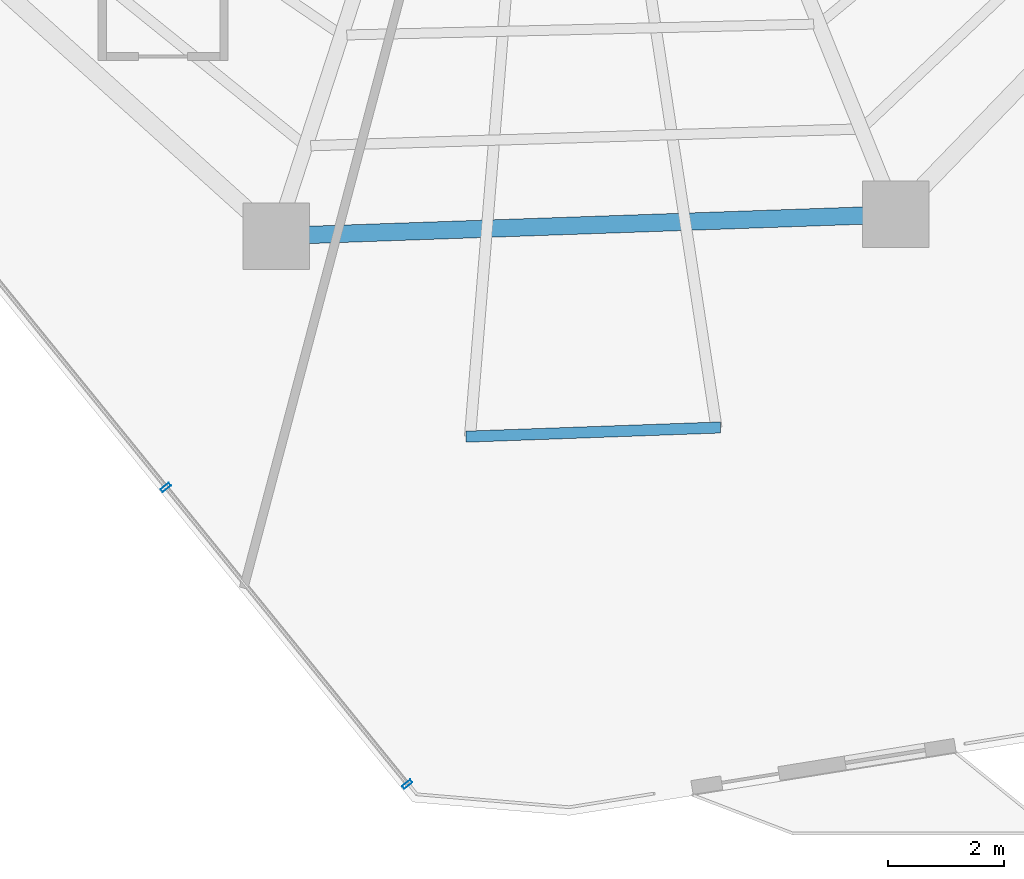
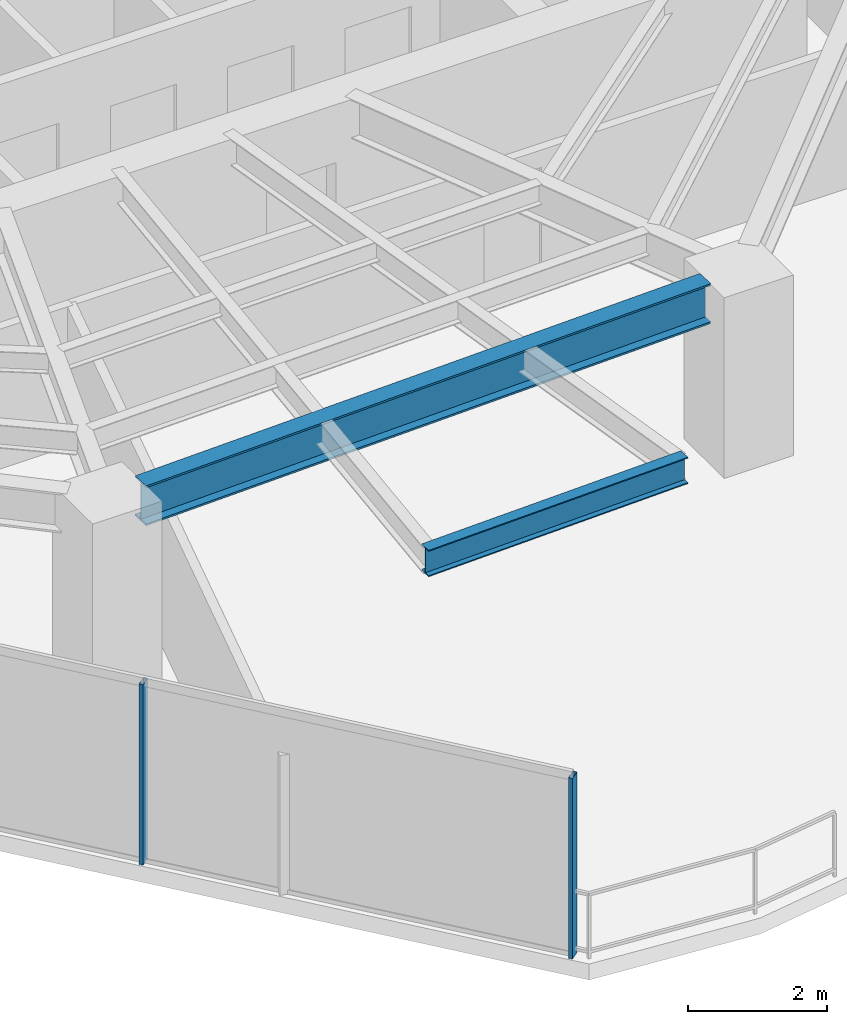
# One storey, part 5 of 27: 2 beams, 2 members, 1 element without a shape of its own.
"""IFC4 building model written with IfcOpenShell, lengths in metres."""

import ifcopenshell
import ifcopenshell.guid

model = None  # the IFC model being written
_history = None  # IfcOwnerHistory: only IFC2X3 demands one
_inside = {}  # id of a spatial element -> (the spatial element, [elements in it])
_under = {}  # id of a project, library or spatial element -> (it, [spatial elements below it])
_declared = {}  # id of a project -> (the project, [libraries it declares])
_typed = {}  # id of a type object -> (the type object, [elements of that type])
_made_of = {}  # id of a material, layer set ... -> (it, [elements and type objects made of it])


def new_model(schema):
    """Start an empty IFC model of exactly this schema.

    Asked for "IFC4X3", IfcOpenShell would pick the latest addendum, in which some entities
    have other attributes; the version numbers below select the first issue.
    IFC2X3 requires an IfcOwnerHistory on every rooted entity: one is made here for all.
    """
    global model, _history
    if schema == "IFC4X3":
        model = ifcopenshell.file(schema_version=(4, 3, 0, 0))
    else:
        model = ifcopenshell.file(schema=schema)
    _inside.clear()
    _under.clear()
    _declared.clear()
    _typed.clear()
    _made_of.clear()
    _history = None
    if model.schema == "IFC2X3":
        org = make("IfcOrganization", Name="unknown")
        user = make(
            "IfcPersonAndOrganization",
            ThePerson=make("IfcPerson", FamilyName="unknown"),
            TheOrganization=org,
        )
        app = make(
            "IfcApplication",
            ApplicationDeveloper=org,
            Version="unknown",
            ApplicationFullName="unknown",
            ApplicationIdentifier="unknown",
        )
        _history = make(
            "IfcOwnerHistory",
            OwningUser=user,
            OwningApplication=app,
            ChangeAction="ADDED",
            CreationDate=0,
        )
    return model


def make(cls, **values):
    """One entity of the class cls with the attributes given. An attribute that is None is left unset."""
    return model.create_entity(
        cls, **{name: value for name, value in values.items() if value is not None}
    )


def rooted(cls, **values):
    """An entity with a GlobalId (a new one), such as an element, a storey or a relation."""
    return make(cls, GlobalId=ifcopenshell.guid.new(), OwnerHistory=_history, **values)


def si_unit(unit_type, name, prefix=None):
    """IfcSIUnit, for example si_unit("LENGTHUNIT", "METRE", prefix="MILLI")."""
    return make("IfcSIUnit", UnitType=unit_type, Prefix=prefix, Name=name)


def assignment(units):
    """IfcUnitAssignment: the units of a project."""
    return None if units is None else make("IfcUnitAssignment", Units=units)


def point(xyz):
    """IfcCartesianPoint."""
    return None if xyz is None else make("IfcCartesianPoint", Coordinates=xyz)


def direction(xyz):
    """IfcDirection."""
    return None if xyz is None else make("IfcDirection", DirectionRatios=xyz)


def frame(location, z_axis=None, x_axis=None):
    """IfcAxis2Placement3D, a coordinate frame: its origin and axes. An axis left out is left unset."""
    return make(
        "IfcAxis2Placement3D",
        Location=point(location),
        Axis=direction(z_axis),
        RefDirection=direction(x_axis),
    )


def frame_2d(location, x_axis=None):
    """IfcAxis2Placement2D, a coordinate frame in the plane: its origin and x axis."""
    return make(
        "IfcAxis2Placement2D", Location=point(location), RefDirection=direction(x_axis)
    )


def origin():
    """The frame at (0, 0, 0) with its axes left unset."""
    return frame((0.0, 0.0, 0.0))


def origin_2d():
    """The frame at (0, 0) in the plane with its x axis left unset."""
    return frame_2d((0.0, 0.0))


def place(relative_to, where):
    """IfcLocalPlacement: puts the frame where relative to a parent placement (None: the world)."""
    return make(
        "IfcLocalPlacement", PlacementRelTo=relative_to, RelativePlacement=where
    )


def context(
    kind, dimensions, precision=None, world=None, true_north=None, identifier=None
):
    """IfcGeometricRepresentationContext, for example the 3D "Model" context."""
    return make(
        "IfcGeometricRepresentationContext",
        ContextIdentifier=identifier,
        ContextType=kind,
        CoordinateSpaceDimension=dimensions,
        Precision=precision,
        WorldCoordinateSystem=world,
        TrueNorth=true_north,
    )


def subcontext(parent, identifier, kind, view, scale=None):
    """IfcGeometricRepresentationSubContext, for example "Body" below "Model"."""
    return make(
        "IfcGeometricRepresentationSubContext",
        ContextIdentifier=identifier,
        ContextType=kind,
        ParentContext=parent,
        TargetScale=scale,
        TargetView=view,
    )


def project(units=None, contexts=None):
    """IfcProject with its units and contexts."""
    return rooted(
        "IfcProject",
        Name="project",
        RepresentationContexts=contexts,
        UnitsInContext=assignment(units),
    )


def spatial(cls, under=None, at=None, **own):
    """A site, building, storey or space (cls), placed at a placement, below another one or the project."""
    s = rooted(cls, ObjectPlacement=at, **own)
    if under is not None:
        _under.setdefault(under.id(), (under, []))[1].append(s)
    return s


def profile(cls, at=None, kind="AREA", **sizes):
    """A parametric profile (cls). Its sizes go by their IFC names, for example OverallWidth=200.0."""
    return make(cls, ProfileType=kind, Position=at, **sizes)


def hollow_rectangle(**sizes):
    """IfcRectangleHollowProfileDef."""
    return profile("IfcRectangleHollowProfileDef", **sizes)


def i_section(**sizes):
    """IfcIShapeProfileDef."""
    return profile("IfcIShapeProfileDef", **sizes)


def extrude(swept, where, along, depth):
    """IfcExtrudedAreaSolid: the profile swept, set in the frame where, extruded along a direction by depth."""
    return make(
        "IfcExtrudedAreaSolid",
        SweptArea=swept,
        Position=where,
        ExtrudedDirection=direction(along),
        Depth=depth,
    )


def shape(context_of_items, identifier, shape_type, items):
    """IfcShapeRepresentation: the items that make up one representation, for example the "Body"."""
    return make(
        "IfcShapeRepresentation",
        ContextOfItems=context_of_items,
        RepresentationIdentifier=identifier,
        RepresentationType=shape_type,
        Items=items,
    )


def material(Name=None, Category=None):
    """IfcMaterial."""
    return make("IfcMaterial", Name=Name, Category=Category)


def layer(
    of_material, thickness, ventilated=None, Name=None, Category=None, Priority=None
):
    """IfcMaterialLayer: one layer of a wall or slab, of a material (None: an air gap)."""
    return make(
        "IfcMaterialLayer",
        Material=of_material,
        LayerThickness=thickness,
        IsVentilated=ventilated,
        Name=Name,
        Category=Category,
        Priority=Priority,
    )


def layer_set(layers, Name=None):
    """IfcMaterialLayerSet."""
    return make("IfcMaterialLayerSet", MaterialLayers=layers, LayerSetName=Name)


def material_profile(
    of_material, cross_section, Name=None, Category=None, Priority=None
):
    """IfcMaterialProfile: a cross section and its material."""
    return make(
        "IfcMaterialProfile",
        Name=Name,
        Material=of_material,
        Profile=cross_section,
        Priority=Priority,
        Category=Category,
    )


def profile_set(profiles, Name=None, composite=None):
    """IfcMaterialProfileSet."""
    return make(
        "IfcMaterialProfileSet",
        Name=Name,
        MaterialProfiles=profiles,
        CompositeProfile=composite,
    )


def made_of(thing, what):
    """Note that an element or type object is made of a material, layer set ...; save() writes the relation."""
    if what is not None:
        _made_of.setdefault(what.id(), (what, []))[1].append(thing)
    return thing


def type_object(cls, material=None, **own):
    """A type object (cls), such as IfcWallType, which elements share."""
    return made_of(rooted(cls, **own), material)


def element(
    cls,
    number,
    at=None,
    inside=None,
    cuts=None,
    type_object=None,
    material=None,
    context=None,
    identifier="Body",
    shape_type=None,
    held_by="IfcProductDefinitionShape",
    body=None,
    shapes=None,
    **own,
):
    """One element of the class cls, such as IfcWall. Its Tag is "e" and its number.

    at: its placement. inside: the storey or other place that contains it. cuts: it is an
    opening in that element (IfcRelVoidsElement). A single representation is given by context,
    identifier, shape_type and body (its items); several are given by shapes. held_by: the class
    of the entity that holds the representations. save() writes the other relations.
    """
    e = rooted(cls, Tag="e%d" % number, ObjectPlacement=at, **own)
    if body is not None:
        shapes = [shape(context, identifier, shape_type, body)]
    if shapes is not None:
        e.Representation = make(held_by, Representations=shapes)
    if inside is not None:
        _inside.setdefault(inside.id(), (inside, []))[1].append(e)
    if cuts is not None:
        rooted(
            "IfcRelVoidsElement", RelatingBuildingElement=cuts, RelatedOpeningElement=e
        )
    if type_object is not None:
        _typed.setdefault(type_object.id(), (type_object, []))[1].append(e)
    return made_of(e, material)


def aggregate(whole, parts):
    """IfcRelAggregates: a whole, such as a stair, and the parts it consists of."""
    return rooted("IfcRelAggregates", RelatingObject=whole, RelatedObjects=parts)


def save(model, path):
    """Write the relations noted so far, then the file.

    IfcRelAggregates (storeys below a building ...), IfcRelContainedInSpatialStructure (elements
    in a storey), IfcRelDefinesByType, IfcRelAssociatesMaterial and IfcRelDeclares: one each for
    every whole, place, type object, material and project.
    """
    for whole, parts in _under.values():
        aggregate(whole, parts)
    for where, things in _inside.values():
        rooted(
            "IfcRelContainedInSpatialStructure",
            RelatedElements=things,
            RelatingStructure=where,
        )
    for kind, things in _typed.values():
        rooted("IfcRelDefinesByType", RelatedObjects=things, RelatingType=kind)
    for what, things in _made_of.values():
        rooted("IfcRelAssociatesMaterial", RelatedObjects=things, RelatingMaterial=what)
    for by, libraries in _declared.values():
        rooted("IfcRelDeclares", RelatingContext=by, RelatedDefinitions=libraries)
    model.write(path)


model = new_model("IFC4")

# Units and contexts
model_context = context("Model", 3, precision=1e-05, world=origin(), true_north=direction((0.0, 1.0)))
body_context = subcontext(model_context, "Body", "Model", "MODEL_VIEW")
ifc_project = project(units=[si_unit("LENGTHUNIT", "METRE"), si_unit("AREAUNIT", "SQUARE_METRE"), si_unit("VOLUMEUNIT", "CUBIC_METRE"), si_unit("PLANEANGLEUNIT", "RADIAN"), si_unit("MASSUNIT", "GRAM", prefix="KILO")], contexts=[model_context])

# Site, building, storey
site_placement = place(None, origin())
site = spatial("IfcSite", under=ifc_project, at=site_placement, CompositionType="ELEMENT")
building_placement = place(site_placement, origin())
building = spatial("IfcBuilding", under=site, at=building_placement, Name="Qarnah Convention Tower", CompositionType="ELEMENT")
storey_placement = place(building_placement, frame((0.0, 0.0, 100.5)))
storey = spatial("IfcBuildingStorey", under=building, at=storey_placement, Name="L26", CompositionType="ELEMENT", Elevation=100.5)

# Beams
ifc_material_1 = material(Name="Structural steel S355JR", Category="steel")
ifc_material_profile_1 = material_profile(ifc_material_1, i_section(OverallWidth=0.19189453125, OverallDepth=0.464111328125, WebThickness=0.010986328125, FlangeThickness=0.01806640625, at=origin_2d()), Name="W460X89")
ifc_profile_set_1 = profile_set([ifc_material_profile_1], Name="Structural steel S355JR")
beam_type_1 = type_object("IfcBeamType", Name="BM-CANT-W460A", PredefinedType="BEAM", material=ifc_profile_set_1)
beam_1_placement = place(storey_placement, frame((40.035888671875, 8.2109375, 2.93798828125), z_axis=(-0.999347061952, -0.036131008404, 0.0), x_axis=(0.036131008404, -0.999347061952, 0.0)))
element("IfcBeam", 1, at=beam_1_placement, inside=storey, type_object=beam_type_1, Name="L26 spandrel BM-L26-CTIE-03", PredefinedType="SPANDREL", context=body_context, shape_type="SweptSolid", body=[
    extrude(i_section(OverallWidth=0.19189453125, OverallDepth=0.464111328125, WebThickness=0.010986328125, FlangeThickness=0.01806640625, at=origin_2d()), origin(), (0.0, 0.0, 1.0), 4.39892578125),
])
ifc_material_profile_2 = material_profile(ifc_material_1, i_section(OverallWidth=0.300048828125, OverallDepth=0.699951171875, WebThickness=0.01708984375, FlangeThickness=0.031982421875, at=origin_2d()), Name="HEB700")
ifc_profile_set_2 = profile_set([ifc_material_profile_2], Name="Structural steel S355JR")
beam_type_2 = type_object("IfcBeamType", Name="BM-RING-HEB700", PredefinedType="BEAM", material=ifc_profile_set_2)
beam_2_placement = place(storey_placement, frame((32.928955078125, 11.535888671875, 2.820068359375), z_axis=(0.999390577592, 0.03490663862, 0.0), x_axis=(-0.03490663862, 0.999390577592, 0.0)))
element("IfcBeam", 2, at=beam_2_placement, inside=storey, type_object=beam_type_2, Name="L26 beam BM-L26-SPN-07", PredefinedType="BEAM", context=body_context, shape_type="SweptSolid", body=[
    extrude(i_section(OverallWidth=0.300048828125, OverallDepth=0.699951171875, WebThickness=0.01708984375, FlangeThickness=0.031982421875, at=origin_2d()), origin(), (0.0, 0.0, 1.0), 9.574951171875),
])

# Curtain wall, members
ifc_material_2 = material(Name="Tempered Low-E dark glass", Category="glass")
ifc_layer = layer(ifc_material_2, 0.169921875)
ifc_layer_set = layer_set([ifc_layer], Name="Tempered Low-E dark glass")
curtain_wall_type = type_object("IfcCurtainWallType", Name="CWS-02", PredefinedType="NOTDEFINED", material=ifc_layer_set)
curtain_wall_placement = place(storey_placement, origin())
curtain_wall = element("IfcCurtainWall", 3, at=curtain_wall_placement, inside=storey, type_object=curtain_wall_type, Name="L26 unitised curtain wall CW-L26-F2", PredefinedType="NOTDEFINED")
ifc_material_3 = material(Name="Black anodised aluminium", Category="aluminium")
ifc_material_profile_3 = material_profile(ifc_material_3, hollow_rectangle(XDim=0.06494140625, YDim=0.179931640625, WallThickness=0.00390625, at=origin_2d()), Name="MUL-65X180")
ifc_profile_set_3 = profile_set([ifc_material_profile_3], Name="Black anodised aluminium")
member_type = type_object("IfcMemberType", Name="MUL-T2", PredefinedType="MULLION", material=ifc_profile_set_3)
member_1_placement = place(storey_placement, frame((34.6259765625, 2.051025390625, 0.0), z_axis=(0.0, 0.0, 1.0), x_axis=(-0.630942367883, 0.775829703227, 0.0)))
member_1 = element("IfcMember", 4, at=member_1_placement, type_object=member_type, Name="CW-L26-F2 mullion 1", PredefinedType="MULLION", context=body_context, shape_type="SweptSolid", body=[
    extrude(hollow_rectangle(XDim=0.06494140625, YDim=0.179931640625, WallThickness=0.00390625, at=origin_2d()), origin(), (0.0, 0.0, 1.0), 3.169921875),
])
member_2_placement = place(storey_placement, frame((30.456787109375, 7.177490234375, 0.0), z_axis=(0.0, 0.0, 1.0), x_axis=(-0.630942367883, 0.775829703227, 0.0)))
member_2 = element("IfcMember", 5, at=member_2_placement, type_object=member_type, Name="CW-L26-F2 mullion 2", PredefinedType="MULLION", context=body_context, shape_type="SweptSolid", body=[
    extrude(hollow_rectangle(XDim=0.06494140625, YDim=0.179931640625, WallThickness=0.00390625, at=origin_2d()), origin(), (0.0, 0.0, 1.0), 3.169921875),
])
aggregate(curtain_wall, [member_1, member_2])

save(model, "model.ifc")
